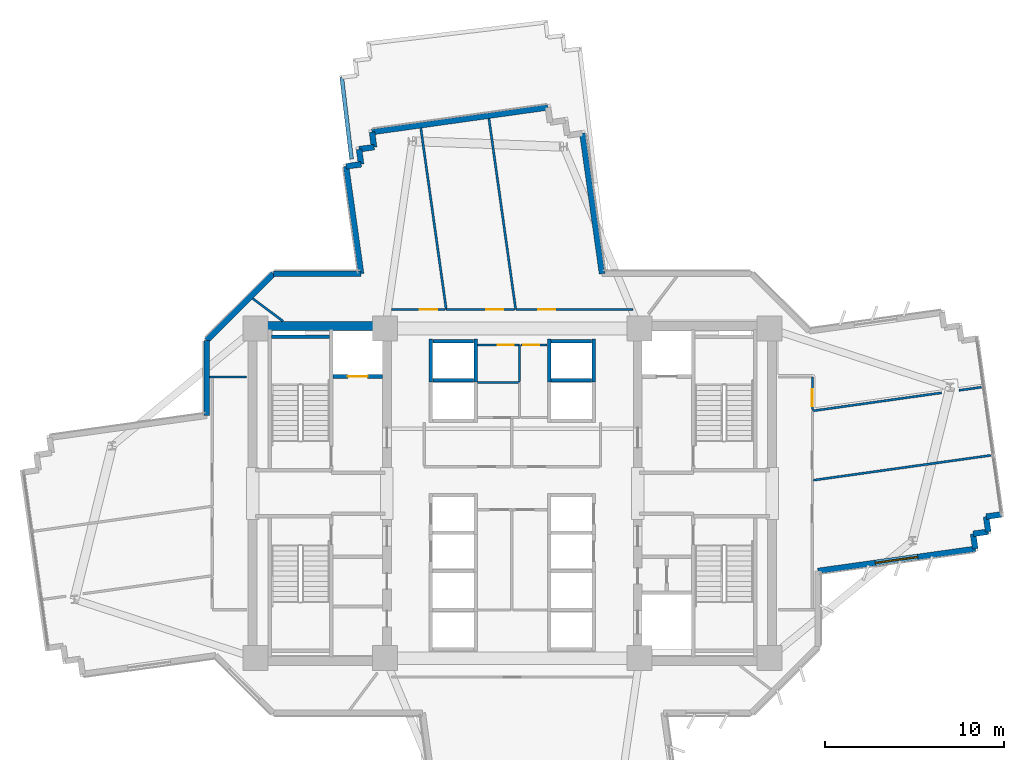
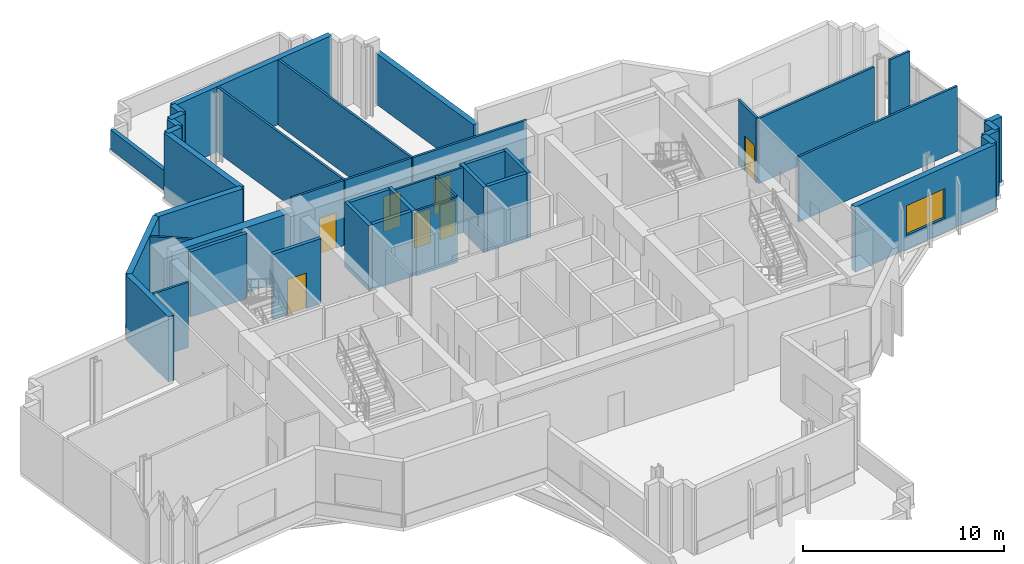
# One storey, part 9 of 13: 42 walls, 7 doors, 1 window, 8 openings.
"""IFC4 building model written with IfcOpenShell, lengths in metres."""

from ifc_helpers import new_model, si_unit, direction, frame, frame_2d, origin, place, context, subcontext, project, spatial, rectangle, extrude, source, transform, mapped, material, layer, layer_set, type_object, element, fill, save


model = new_model("IFC4")

# Units and contexts
model_context = context("Model", 3, precision=1e-05, world=origin(), true_north=direction((0.0, 1.0)))
body_context = subcontext(model_context, "Body", "Model", "MODEL_VIEW")
ifc_project = project(units=[si_unit("LENGTHUNIT", "METRE"), si_unit("AREAUNIT", "SQUARE_METRE"), si_unit("VOLUMEUNIT", "CUBIC_METRE"), si_unit("PLANEANGLEUNIT", "RADIAN"), si_unit("MASSUNIT", "GRAM", prefix="KILO")], contexts=[model_context])

# Site, building, storey
site_placement = place(None, origin())
site = spatial("IfcSite", under=ifc_project, at=site_placement, CompositionType="ELEMENT")
building_placement = place(site_placement, origin())
building = spatial("IfcBuilding", under=site, at=building_placement, Name="Zahravan Cultural Tower", CompositionType="ELEMENT")
storey_placement = place(building_placement, frame((0.0, 0.0, 117.300048828125)))
storey = spatial("IfcBuildingStorey", under=building, at=storey_placement, Name="L26", CompositionType="ELEMENT", Elevation=117.300048828125)

# Wall, opening, window
ifc_material_1 = material(Name="Precast concrete C40/50", Category="concrete")
ifc_layer_1 = layer(ifc_material_1, 0.320068359375)
ifc_layer_set_1 = layer_set([ifc_layer_1], Name="Precast concrete C40/50")
wall_type_1 = type_object("IfcWallType", Name="EW-TC-320", PredefinedType="SOLIDWALL", material=ifc_layer_set_1)
wall_1_placement = place(storey_placement, frame((61.8408203125, 23.8974609375, 0.0), z_axis=(0.0, 0.0, 1.0), x_axis=(-0.990316171862, -0.138830399225, 0.0)))
wall_1 = element("IfcWall", 1, at=wall_1_placement, inside=storey, type_object=wall_type_1, Name="L26 Exterior Masonry Frame Wall 10", PredefinedType="SOLIDWALL", context=body_context, shape_type="SweptSolid", body=[
    extrude(rectangle(XDim=8.86669921875, YDim=0.320068359375, at=frame_2d((4.433349609375, 0.0))), origin(), (0.0, 0.0, 1.0), 3.949951171875),
])
opening_1_placement = place(wall_1_placement, frame((3.23291015625, 0.0, 0.85009765625)))
opening_1 = element("IfcOpeningElement", 2, at=opening_1_placement, cuts=wall_1, Name="Opening WN-01", PredefinedType="OPENING", context=body_context, shape_type="SweptSolid", body=[
    extrude(rectangle(XDim=2.39990234375, YDim=1.800048828125, at=frame_2d((1.199951171875, 0.89990234375))), frame((0.0, 0.169921875, 0.0), z_axis=(0.0, -1.0, 0.0), x_axis=(1.0, 0.0, 0.0)), (0.0, 0.0, 1.0), 0.340087890625),
])
ifc_material_2 = material(Name="Low-E solar-control double glazing", Category="glass")
window_type = type_object("IfcWindowType", Name="WN-REC-2400X1800", PartitioningType="DOUBLE_PANEL_VERTICAL", PredefinedType="WINDOW", material=ifc_material_2)
shared_shape_1 = source(origin(), body_context, "Body", "SweptSolid", [
    extrude(rectangle(XDim=2.39990234375, YDim=1.800048828125, at=frame_2d((1.199951171875, 0.89990234375))), frame((0.0, 0.030029296875, 0.0), z_axis=(0.0, -1.0, 0.0), x_axis=(1.0, 0.0, 0.0)), (0.0, 0.0, 1.0), 0.06005859375),
])
window_placement = place(opening_1_placement, origin())
window = element("IfcWindow", 3, at=window_placement, inside=storey, type_object=window_type, Name="L26 Recessed Solar Window 02", OverallHeight=1.800048828125, OverallWidth=2.39990234375, PartitioningType="DOUBLE_PANEL_VERTICAL", PredefinedType="WINDOW", context=body_context, shape_type="MappedRepresentation", body=[
    mapped(shared_shape_1, transform((0.0, 0.0, 0.0), x_axis=(1.0, 0.0, 0.0), y_axis=(0.0, 1.0, 0.0), z_axis=(0.0, 0.0, 1.0), scale=1.0)),
])
fill(opening_1, window)

# Wall, opening, door
ifc_material_3 = material(Name="Gypsum plasterboard partition")
ifc_layer_2 = layer(ifc_material_3, 0.125)
ifc_layer_set_2 = layer_set([ifc_layer_2], Name="Gypsum plasterboard partition")
wall_type_2 = type_object("IfcWallType", Name="W-PART-125", PredefinedType="PARTITIONING", material=ifc_layer_set_2)
wall_2_placement = place(storey_placement, frame((36.119140625, 37.260009765625, 0.0), z_axis=(0.0, 0.0, 1.0), x_axis=(-1.0, 0.0, 0.0)))
wall_2 = element("IfcWall", 4, at=wall_2_placement, inside=storey, type_object=wall_type_2, Name="L26 Interior Wall 095", PredefinedType="PARTITIONING", context=body_context, shape_type="SweptSolid", body=[
    extrude(rectangle(XDim=3.809326171875, YDim=0.125, at=frame_2d((1.90478515625, 0.0))), origin(), (0.0, 0.0, 1.0), 3.949951171875),
])
opening_2_placement = place(wall_2_placement, frame((0.62890625, 0.0, 0.0)))
opening_2 = element("IfcOpeningElement", 5, at=opening_2_placement, cuts=wall_2, Name="Opening D-L26-23", PredefinedType="OPENING", context=body_context, shape_type="SweptSolid", body=[
    extrude(rectangle(XDim=0.949951171875, YDim=2.14990234375, at=frame_2d((0.47509765625, 1.074951171875))), frame((0.0, 0.072509765625, 0.0), z_axis=(0.0, -1.0, 0.0), x_axis=(1.0, 0.0, 0.0)), (0.0, 0.0, 1.0), 0.14501953125),
])
ifc_material_4 = material(Name="Anodised bronze-aluminium mullion", Category="aluminium")
door_type_1 = type_object("IfcDoorType", Name="DR-ROOM-950", OperationType="NOTDEFINED", PredefinedType="DOOR", material=ifc_material_4)
shared_shape_2 = source(origin(), body_context, "Body", "SweptSolid", [
    extrude(rectangle(XDim=0.949951171875, YDim=2.14990234375, at=frame_2d((0.47509765625, 1.074951171875))), frame((0.0, 0.02490234375, 0.0), z_axis=(0.0, -1.0, 0.0), x_axis=(1.0, 0.0, 0.0)), (0.0, 0.0, 1.0), 0.050048828125),
])
door_1_placement = place(opening_2_placement, origin())
door_1 = element("IfcDoor", 6, at=door_1_placement, inside=storey, type_object=door_type_1, Name="L26 Door D-L26-23", OperationType="SINGLE_SWING_RIGHT", OverallHeight=2.14990234375, OverallWidth=0.949951171875, PredefinedType="DOOR", context=body_context, shape_type="MappedRepresentation", body=[
    mapped(shared_shape_2, transform((0.0, 0.0, 0.0), x_axis=(1.0, 0.0, 0.0), y_axis=(0.0, 1.0, 0.0), z_axis=(0.0, 0.0, 1.0), scale=1.0)),
])
fill(opening_2, door_1)

wall_3_placement = place(storey_placement, frame((32.24169921875, 37.260009765625, 0.0), z_axis=(0.0, 0.0, 1.0), x_axis=(-0.999999916483, -0.00040869704, 0.0)))
wall_3 = element("IfcWall", 7, at=wall_3_placement, inside=storey, type_object=wall_type_2, Name="L26 Interior Wall 097", PredefinedType="PARTITIONING", context=body_context, shape_type="SweptSolid", body=[
    extrude(rectangle(XDim=2.98681640625, YDim=0.125, at=frame_2d((1.493408203125, 0.0))), origin(), (0.0, 0.0, 1.0), 3.949951171875),
])
opening_3_placement = place(wall_3_placement, frame((0.447998046875, 0.0, 0.0)))
opening_3 = element("IfcOpeningElement", 8, at=opening_3_placement, cuts=wall_3, Name="Opening D-L26-24", PredefinedType="OPENING", context=body_context, shape_type="SweptSolid", body=[
    extrude(rectangle(XDim=0.949951171875, YDim=2.14990234375, at=frame_2d((0.47509765625, 1.074951171875))), frame((0.0, 0.072509765625, 0.0), z_axis=(0.0, -1.0, 0.0), x_axis=(1.0, 0.0, 0.0)), (0.0, 0.0, 1.0), 0.14501953125),
])
door_2_placement = place(opening_3_placement, origin())
door_2 = element("IfcDoor", 9, at=door_2_placement, inside=storey, type_object=door_type_1, Name="L26 Door D-L26-24", OperationType="SINGLE_SWING_LEFT", OverallHeight=2.14990234375, OverallWidth=0.949951171875, PredefinedType="DOOR", context=body_context, shape_type="MappedRepresentation", body=[
    mapped(shared_shape_2, transform((0.0, 0.0, 0.0), x_axis=(1.0, 0.0, 0.0), y_axis=(0.0, 1.0, 0.0), z_axis=(0.0, 0.0, 1.0), scale=1.0)),
])
fill(opening_3, door_2)

wall_4_placement = place(storey_placement, frame((42.742431640625, 37.259765625, 0.0), z_axis=(0.0, 0.0, 1.0), x_axis=(-0.999999999302, 3.7359435e-05, 0.0)))
wall_4 = element("IfcWall", 10, at=wall_4_placement, inside=storey, type_object=wall_type_2, Name="L26 Interior Wall 105", PredefinedType="PARTITIONING", context=body_context, shape_type="SweptSolid", body=[
    extrude(rectangle(XDim=6.534912109375, YDim=0.125, at=frame_2d((3.267578125, 0.0))), origin(), (0.0, 0.0, 1.0), 3.949951171875),
])
opening_4_placement = place(wall_4_placement, frame((4.356201171875, 0.0, 0.0)))
opening_4 = element("IfcOpeningElement", 11, at=opening_4_placement, cuts=wall_4, Name="Opening D-L26-22", PredefinedType="OPENING", context=body_context, shape_type="SweptSolid", body=[
    extrude(rectangle(XDim=0.949951171875, YDim=2.14990234375, at=frame_2d((0.47509765625, 1.074951171875))), frame((0.0, 0.072509765625, 0.0), z_axis=(0.0, -1.0, 0.0), x_axis=(1.0, 0.0, 0.0)), (0.0, 0.0, 1.0), 0.14501953125),
])
door_3_placement = place(opening_4_placement, origin())
door_3 = element("IfcDoor", 12, at=door_3_placement, inside=storey, type_object=door_type_1, Name="L26 Door D-L26-22", OperationType="SINGLE_SWING_LEFT", OverallHeight=2.14990234375, OverallWidth=0.949951171875, PredefinedType="DOOR", context=body_context, shape_type="MappedRepresentation", body=[
    mapped(shared_shape_2, transform((0.0, 0.0, 0.0), x_axis=(1.0, 0.0, 0.0), y_axis=(0.0, 1.0, 0.0), z_axis=(0.0, 0.0, 1.0), scale=1.0)),
])
fill(opening_4, door_3)

wall_5_placement = place(storey_placement, frame((52.75, 31.66796875, 0.0), z_axis=(0.0, 0.0, 1.0), x_axis=(-0.000533333257, 0.999999857778, 0.0)))
wall_5 = element("IfcWall", 13, at=wall_5_placement, inside=storey, type_object=wall_type_2, Name="L26 Interior Wall 107", PredefinedType="PARTITIONING", context=body_context, shape_type="SweptSolid", body=[
    extrude(rectangle(XDim=1.8310546875, YDim=0.125, at=frame_2d((0.91552734375, 0.0))), origin(), (0.0, 0.0, 1.0), 3.949951171875),
])
opening_5_placement = place(wall_5_placement, frame((0.19384765625, 0.0, 0.0)))
opening_5 = element("IfcOpeningElement", 14, at=opening_5_placement, cuts=wall_5, Name="Opening D-L26-21", PredefinedType="OPENING", context=body_context, shape_type="SweptSolid", body=[
    extrude(rectangle(XDim=0.949951171875, YDim=2.14990234375, at=frame_2d((0.47509765625, 1.074951171875))), frame((0.0, 0.072509765625, 0.0), z_axis=(0.0, -1.0, 0.0), x_axis=(1.0, 0.0, 0.0)), (0.0, 0.0, 1.0), 0.14501953125),
])
door_4_placement = place(opening_5_placement, origin())
door_4 = element("IfcDoor", 15, at=door_4_placement, inside=storey, type_object=door_type_1, Name="L26 Door D-L26-21", OperationType="SINGLE_SWING_RIGHT", OverallHeight=2.14990234375, OverallWidth=0.949951171875, PredefinedType="DOOR", context=body_context, shape_type="MappedRepresentation", body=[
    mapped(shared_shape_2, transform((0.0, 0.0, 0.0), x_axis=(1.0, 0.0, 0.0), y_axis=(0.0, 1.0, 0.0), z_axis=(0.0, 0.0, 1.0), scale=1.0)),
])
fill(opening_5, door_4)

ifc_material_5 = material(Name="Concrete C45/55", Category="concrete")
ifc_layer_3 = layer(ifc_material_5, 0.199951171875)
ifc_layer_set_3 = layer_set([ifc_layer_3], Name="Concrete C45/55")
wall_type_3 = type_object("IfcWallType", Name="W-SHAFT-200", PredefinedType="SOLIDWALL", material=ifc_layer_set_3)
wall_6_placement = place(storey_placement, frame((26.0, 33.52001953125, 0.0), z_axis=(0.0, 0.0, 1.0), x_axis=(1.0, 0.0, 0.0)))
wall_6 = element("IfcWall", 16, at=wall_6_placement, inside=storey, type_object=wall_type_3, Name="L26 Interior Wall 021", PredefinedType="SOLIDWALL", context=body_context, shape_type="SweptSolid", body=[
    extrude(rectangle(XDim=2.75, YDim=0.199951171875, at=frame_2d((1.375, 0.0))), origin(), (0.0, 0.0, 1.0), 3.949951171875),
])
opening_6_placement = place(wall_6_placement, frame((0.820068359375, 0.0, 0.0)))
opening_6 = element("IfcOpeningElement", 17, at=opening_6_placement, cuts=wall_6, Name="Opening LD-L26-01", PredefinedType="OPENING", context=body_context, shape_type="SweptSolid", body=[
    extrude(rectangle(XDim=1.10009765625, YDim=2.14990234375, at=frame_2d((0.550048828125, 1.074951171875))), frame((0.0, 0.10986328125, 0.0), z_axis=(0.0, -1.0, 0.0), x_axis=(1.0, 0.0, 0.0)), (0.0, 0.0, 1.0), 0.219970703125),
])
ifc_material_6 = material(Name="Steel ASTM A572 Grade 50", Category="steel")
door_type_2 = type_object("IfcDoorType", Name="DR-LIFT-1100", OperationType="DOUBLE_DOOR_SLIDING", PredefinedType="DOOR", material=ifc_material_6)
shared_shape_3 = source(origin(), body_context, "Body", "SweptSolid", [
    extrude(rectangle(XDim=1.10009765625, YDim=2.14990234375, at=frame_2d((0.550048828125, 1.074951171875))), frame((0.0, 0.02490234375, 0.0), z_axis=(0.0, -1.0, 0.0), x_axis=(1.0, 0.0, 0.0)), (0.0, 0.0, 1.0), 0.050048828125),
])
door_5_placement = place(opening_6_placement, origin())
door_5 = element("IfcDoor", 18, at=door_5_placement, inside=storey, type_object=door_type_2, Name="L26 Door LD-L26-01", OperationType="DOUBLE_DOOR_SLIDING", OverallHeight=2.14990234375, OverallWidth=1.10009765625, PredefinedType="DOOR", context=body_context, shape_type="MappedRepresentation", body=[
    mapped(shared_shape_3, transform((0.0, 0.0, 0.0), x_axis=(1.0, 0.0, 0.0), y_axis=(0.0, 1.0, 0.0), z_axis=(0.0, 0.0, 1.0), scale=1.0)),
])
fill(opening_6, door_5)

ifc_layer_4 = layer(ifc_material_3, 0.114990234375)
ifc_layer_set_4 = layer_set([ifc_layer_4], Name="Gypsum plasterboard partition")
wall_type_4 = type_object("IfcWallType", Name="W-WC-115", PredefinedType="PARTITIONING", material=ifc_layer_set_4)
wall_7_placement = place(storey_placement, frame((34.054931640625, 35.280029296875, 0.0), z_axis=(0.0, 0.0, 1.0), x_axis=(1.0, 0.0, 0.0)))
wall_7 = element("IfcWall", 19, at=wall_7_placement, inside=storey, type_object=wall_type_4, Name="L26 Interior Wall 071", PredefinedType="PARTITIONING", context=body_context, shape_type="SweptSolid", body=[
    extrude(rectangle(XDim=2.35498046875, YDim=0.114990234375, at=frame_2d((1.177490234375, 0.0))), origin(), (0.0, 0.0, 1.0), 3.949951171875),
])
opening_7_placement = place(wall_7_placement, frame((1.120849609375, 0.0, 0.0)))
opening_7 = element("IfcOpeningElement", 20, at=opening_7_placement, cuts=wall_7, Name="Opening D-L26-13", PredefinedType="OPENING", context=body_context, shape_type="SweptSolid", body=[
    extrude(rectangle(XDim=0.89990234375, YDim=2.10009765625, at=frame_2d((0.449951171875, 1.050048828125))), frame((0.0, 0.0673828125, 0.0), z_axis=(0.0, -1.0, 0.0), x_axis=(1.0, 0.0, 0.0)), (0.0, 0.0, 1.0), 0.135009765625),
])
door_type_3 = type_object("IfcDoorType", Name="DR-WC-900", OperationType="NOTDEFINED", PredefinedType="DOOR", material=ifc_material_4)
shared_shape_4 = source(origin(), body_context, "Body", "SweptSolid", [
    extrude(rectangle(XDim=0.89990234375, YDim=2.10009765625, at=frame_2d((0.449951171875, 1.050048828125))), frame((0.0, 0.02490234375, 0.0), z_axis=(0.0, -1.0, 0.0), x_axis=(1.0, 0.0, 0.0)), (0.0, 0.0, 1.0), 0.050048828125),
])
door_6_placement = place(opening_7_placement, origin())
door_6 = element("IfcDoor", 21, at=door_6_placement, inside=storey, type_object=door_type_3, Name="L26 Door D-L26-13", OperationType="SINGLE_SWING_RIGHT", OverallHeight=2.10009765625, OverallWidth=0.89990234375, PredefinedType="DOOR", context=body_context, shape_type="MappedRepresentation", body=[
    mapped(shared_shape_4, transform((0.0, 0.0, 0.0), x_axis=(1.0, 0.0, 0.0), y_axis=(0.0, 1.0, 0.0), z_axis=(0.0, 0.0, 1.0), scale=1.0)),
])
fill(opening_7, door_6)

wall_8_placement = place(storey_placement, frame((36.472412109375, 35.280029296875, 0.0), z_axis=(0.0, 0.0, 1.0), x_axis=(1.0, 0.0, 0.0)))
wall_8 = element("IfcWall", 22, at=wall_8_placement, inside=storey, type_object=wall_type_4, Name="L26 Interior Wall 074", PredefinedType="PARTITIONING", context=body_context, shape_type="SweptSolid", body=[
    extrude(rectangle(XDim=1.47265625, YDim=0.114990234375, at=frame_2d((0.736328125, 0.0))), origin(), (0.0, 0.0, 1.0), 3.949951171875),
])
opening_8_placement = place(wall_8_placement, frame((0.139892578125, 0.0, 0.0)))
opening_8 = element("IfcOpeningElement", 23, at=opening_8_placement, cuts=wall_8, Name="Opening D-L26-14", PredefinedType="OPENING", context=body_context, shape_type="SweptSolid", body=[
    extrude(rectangle(XDim=0.89990234375, YDim=2.10009765625, at=frame_2d((0.449951171875, 1.050048828125))), frame((0.0, 0.0673828125, 0.0), z_axis=(0.0, -1.0, 0.0), x_axis=(1.0, 0.0, 0.0)), (0.0, 0.0, 1.0), 0.135009765625),
])
door_7_placement = place(opening_8_placement, origin())
door_7 = element("IfcDoor", 24, at=door_7_placement, inside=storey, type_object=door_type_3, Name="L26 Door D-L26-14", OperationType="SINGLE_SWING_LEFT", OverallHeight=2.10009765625, OverallWidth=0.89990234375, PredefinedType="DOOR", context=body_context, shape_type="MappedRepresentation", body=[
    mapped(shared_shape_4, transform((0.0, 0.0, 0.0), x_axis=(1.0, 0.0, 0.0), y_axis=(0.0, 1.0, 0.0), z_axis=(0.0, 0.0, 1.0), scale=1.0)),
])
fill(opening_8, door_7)

# Walls
ifc_material_7 = material(Name="Concrete C60/75", Category="concrete")
ifc_layer_5 = layer(ifc_material_7, 0.5)
ifc_layer_set_5 = layer_set([ifc_layer_5], Name="Concrete C60/75")
wall_type_5 = type_object("IfcWallType", Name="CW-SHEAR-500-C60", PredefinedType="SHEAR", material=ifc_layer_set_5)
shared_shape_5 = source(origin(), body_context, "Body", "SweptSolid", [
    extrude(rectangle(XDim=7.0, YDim=0.5, at=frame_2d((3.5, 0.0))), origin(), (0.0, 0.0, 1.0), 3.949951171875),
])
wall_9_placement = place(storey_placement, frame((21.75, 36.35009765625, 0.0), z_axis=(0.0, 0.0, 1.0), x_axis=(1.0, 0.0, 0.0)))
element("IfcWall", 25, at=wall_9_placement, inside=storey, type_object=wall_type_5, Name="L26 Core Shear Wall CW-W-N-L26", PredefinedType="SHEAR", context=body_context, shape_type="MappedRepresentation", body=[
    mapped(shared_shape_5, transform((0.0, 0.0, 0.0), x_axis=(1.0, 0.0, 0.0), y_axis=(0.0, 1.0, 0.0), z_axis=(0.0, 0.0, 1.0), scale=1.0)),
])
shared_shape_6 = source(origin(), body_context, "Body", "SweptSolid", [
    extrude(rectangle(XDim=0.849853515625, YDim=0.320068359375, at=frame_2d((0.4248046875, 0.0))), origin(), (0.0, 0.0, 1.0), 3.949951171875),
])
wall_10_placement = place(storey_placement, frame((27.440673828125, 46.207763671875, 0.0), z_axis=(0.0, 0.0, 1.0), x_axis=(0.990325171071, 0.138766190202, 0.0)))
element("IfcWall", 26, at=wall_10_placement, inside=storey, type_object=wall_type_1, Name="L26 Exterior Masonry Frame Wall 43", PredefinedType="SOLIDWALL", context=body_context, shape_type="MappedRepresentation", body=[
    mapped(shared_shape_6, transform((0.0, 0.0, 0.0), x_axis=(1.0, 0.0, 0.0), y_axis=(0.0, 1.0, 0.0), z_axis=(0.0, 0.0, 1.0), scale=1.0)),
])
shared_shape_7 = source(origin(), body_context, "Body", "SweptSolid", [
    extrude(rectangle(XDim=0.85009765625, YDim=0.320068359375, at=frame_2d((0.425048828125, 0.0))), origin(), (0.0, 0.0, 1.0), 3.949951171875),
])
for number, where, z_axis, x_axis, name in (
    (27, (63.28857421875, 25.81689453125, 0.0), (0.0, 0.0, 1.0), (-0.990330700987, -0.138726719425, 0.0), "L26 Exterior Masonry Frame Wall 06"),
    (28, (62.44677734375, 25.698974609375, 0.0), (0.0, 0.0, 1.0), (0.138726719425, -0.990330700987, 0.0), "L26 Exterior Masonry Frame Wall 07"),
    (29, (62.564697265625, 24.857177734375, 0.0), (0.0, 0.0, 1.0), (-0.990330700987, -0.138726719425, 0.0), "L26 Exterior Masonry Frame Wall 08"),
    (30, (61.722900390625, 24.7392578125, 0.0), (0.0, 0.0, 1.0), (0.138726719425, -0.990330700987, 0.0), "L26 Exterior Masonry Frame Wall 09"),
    (31, (26.716796875, 45.247802734375, 0.0), (0.0, 0.0, 1.0), (0.990291202841, 0.139008393902, 0.0), "L26 Exterior Masonry Frame Wall 41"),
    (32, (27.55859375, 45.365966796875, 0.0), (0.0, 0.0, 1.0), (-0.138726719425, 0.990330700987, 0.0), "L26 Exterior Masonry Frame Wall 42"),
    (33, (28.2822265625, 46.32568359375, 0.0), (0.0, 0.0, 1.0), (-0.138726719425, 0.990330700987, 0.0), "L26 Exterior Masonry Frame Wall 44"),
):
    element("IfcWall", number, at=place(storey_placement, frame(where, z_axis=z_axis, x_axis=x_axis)), inside=storey, type_object=wall_type_1, Name=name, PredefinedType="SOLIDWALL", context=body_context, shape_type="MappedRepresentation", body=[
        mapped(shared_shape_7, transform((0.0, 0.0, 0.0), x_axis=(1.0, 0.0, 0.0), y_axis=(0.0, 1.0, 0.0), z_axis=(0.0, 0.0, 1.0), scale=1.0)),
    ])
shared_shape_8 = source(origin(), body_context, "Body", "SweptSolid", [
    extrude(rectangle(XDim=9.919921875, YDim=0.320068359375, at=frame_2d((4.9599609375, 0.0))), origin(), (0.0, 0.0, 1.0), 3.949951171875),
])
wall_11_placement = place(storey_placement, frame((28.164306640625, 47.16748046875, 0.0), z_axis=(0.0, 0.0, 1.0), x_axis=(0.990316250135, 0.138829840876, 0.0)))
element("IfcWall", 34, at=wall_11_placement, inside=storey, type_object=wall_type_1, Name="L26 Exterior Masonry Frame Wall 45", PredefinedType="SOLIDWALL", context=body_context, shape_type="MappedRepresentation", body=[
    mapped(shared_shape_8, transform((0.0, 0.0, 0.0), x_axis=(1.0, 0.0, 0.0), y_axis=(0.0, 1.0, 0.0), z_axis=(0.0, 0.0, 1.0), scale=1.0)),
])
shared_shape_9 = source(origin(), body_context, "Body", "SweptSolid", [
    extrude(rectangle(XDim=5.258056640625, YDim=0.320068359375, at=frame_2d((2.62890625, 0.0))), origin(), (0.0, 0.0, 1.0), 3.949951171875),
])
wall_12_placement = place(storey_placement, frame((18.93994140625, 35.5419921875, 0.0), z_axis=(0.0, 0.0, 1.0), x_axis=(0.707106781187, 0.707106781187, 0.0)))
element("IfcWall", 35, at=wall_12_placement, inside=storey, type_object=wall_type_1, Name="L26 Exterior Masonry Frame Wall 38", PredefinedType="SOLIDWALL", context=body_context, shape_type="MappedRepresentation", body=[
    mapped(shared_shape_9, transform((0.0, 0.0, 0.0), x_axis=(1.0, 0.0, 0.0), y_axis=(0.0, 1.0, 0.0), z_axis=(0.0, 0.0, 1.0), scale=1.0)),
])
ifc_layer_6 = layer(ifc_material_1, 0.219970703125)
ifc_layer_set_6 = layer_set([ifc_layer_6], Name="Precast concrete C40/50")
wall_type_6 = type_object("IfcWallType", Name="EW-PARAPET-220", PredefinedType="PARAPET", material=ifc_layer_set_6)
shared_shape_10 = source(origin(), body_context, "Body", "SweptSolid", [
    extrude(rectangle(XDim=4.599365234375, YDim=0.219970703125, at=frame_2d((2.2998046875, 0.0))), origin(), (0.0, 0.0, 1.0), 1.199951171875),
])
wall_13_placement = place(storey_placement, frame((27.0244140625, 45.654541015625, 0.0), z_axis=(0.0, 0.0, 1.0), x_axis=(-0.119113824052, 0.992880605571, 0.0)))
element("IfcWall", 36, at=wall_13_placement, inside=storey, type_object=wall_type_6, Name="L26 Setback Roof Parapet 10", PredefinedType="PARAPET", context=body_context, shape_type="MappedRepresentation", body=[
    mapped(shared_shape_10, transform((0.0, 0.0, 0.0), x_axis=(1.0, 0.0, 0.0), y_axis=(0.0, 1.0, 0.0), z_axis=(0.0, 0.0, 1.0), scale=1.0)),
])
shared_shape_11 = source(origin(), body_context, "Body", "SweptSolid", [
    extrude(rectangle(XDim=4.20849609375, YDim=0.320068359375, at=frame_2d((2.104248046875, 0.0))), origin(), (0.0, 0.0, 1.0), 3.949951171875),
])
wall_14_placement = place(storey_placement, frame((18.93994140625, 31.33349609375, 0.0), z_axis=(0.0, 0.0, 1.0), x_axis=(0.0, 1.0, 0.0)))
element("IfcWall", 37, at=wall_14_placement, inside=storey, type_object=wall_type_1, Name="L26 Exterior Masonry Frame Wall 37", PredefinedType="SOLIDWALL", context=body_context, shape_type="MappedRepresentation", body=[
    mapped(shared_shape_11, transform((0.0, 0.0, 0.0), x_axis=(1.0, 0.0, 0.0), y_axis=(0.0, 1.0, 0.0), z_axis=(0.0, 0.0, 1.0), scale=1.0)),
])
shared_shape_12 = source(origin(), body_context, "Body", "SweptSolid", [
    extrude(rectangle(XDim=4.898193359375, YDim=0.320068359375, at=frame_2d((2.44921875, 0.0))), origin(), (0.0, 0.0, 1.0), 3.949951171875),
])
wall_15_placement = place(storey_placement, frame((22.657958984375, 39.260009765625, 0.0), z_axis=(0.0, 0.0, 1.0), x_axis=(1.0, 0.0, 0.0)))
element("IfcWall", 38, at=wall_15_placement, inside=storey, type_object=wall_type_1, Name="L26 Exterior Masonry Frame Wall 39", PredefinedType="SOLIDWALL", context=body_context, shape_type="MappedRepresentation", body=[
    mapped(shared_shape_12, transform((0.0, 0.0, 0.0), x_axis=(1.0, 0.0, 0.0), y_axis=(0.0, 1.0, 0.0), z_axis=(0.0, 0.0, 1.0), scale=1.0)),
])
shared_shape_13 = source(origin(), body_context, "Body", "SweptSolid", [
    extrude(rectangle(XDim=6.04638671875, YDim=0.320068359375, at=frame_2d((3.023193359375, 0.0))), origin(), (0.0, 0.0, 1.0), 3.949951171875),
])
wall_16_placement = place(storey_placement, frame((27.55615234375, 39.260009765625, 0.0), z_axis=(0.0, 0.0, 1.0), x_axis=(-0.138820507469, 0.990317558517, 0.0)))
element("IfcWall", 39, at=wall_16_placement, inside=storey, type_object=wall_type_1, Name="L26 Exterior Masonry Frame Wall 40", PredefinedType="SOLIDWALL", context=body_context, shape_type="MappedRepresentation", body=[
    mapped(shared_shape_13, transform((0.0, 0.0, 0.0), x_axis=(1.0, 0.0, 0.0), y_axis=(0.0, 1.0, 0.0), z_axis=(0.0, 0.0, 1.0), scale=1.0)),
])
shared_shape_14 = source(origin(), body_context, "Body", "SweptSolid", [
    extrude(rectangle(XDim=7.913818359375, YDim=0.320068359375, at=frame_2d((3.95703125, 0.0))), origin(), (0.0, 0.0, 1.0), 3.079833984375),
])
wall_17_placement = place(storey_placement, frame((39.90771484375, 47.09716796875, 0.0), z_axis=(0.0, 0.0, 1.0), x_axis=(0.138855403592, -0.990312666229, 0.0)))
element("IfcWall", 40, at=wall_17_placement, inside=storey, type_object=wall_type_1, Name="L26 Exterior Masonry Frame Wall 50", PredefinedType="SOLIDWALL", context=body_context, shape_type="MappedRepresentation", body=[
    mapped(shared_shape_14, transform((0.0, 0.0, 0.0), x_axis=(1.0, 0.0, 0.0), y_axis=(0.0, 1.0, 0.0), z_axis=(0.0, 0.0, 1.0), scale=1.0)),
])
shared_shape_15 = source(origin(), body_context, "Body", "SweptSolid", [
    extrude(rectangle(XDim=3.25, YDim=0.199951171875, at=frame_2d((1.625, 0.0))), origin(), (0.0, 0.0, 1.0), 3.949951171875),
])
wall_18_placement = place(storey_placement, frame((22.550048828125, 35.75, 0.0), z_axis=(0.0, 0.0, 1.0), x_axis=(1.0, 0.0, 0.0)))
element("IfcWall", 41, at=wall_18_placement, inside=storey, type_object=wall_type_3, Name="L26 Interior Wall 017", PredefinedType="SOLIDWALL", context=body_context, shape_type="MappedRepresentation", body=[
    mapped(shared_shape_15, transform((0.0, 0.0, 0.0), x_axis=(1.0, 0.0, 0.0), y_axis=(0.0, 1.0, 0.0), z_axis=(0.0, 0.0, 1.0), scale=1.0)),
])
shared_shape_16 = source(origin(), body_context, "Body", "SweptSolid", [
    extrude(rectangle(XDim=2.400146484375, YDim=0.199951171875, at=frame_2d((1.2001953125, 0.0))), origin(), (0.0, 0.0, 1.0), 3.949951171875),
])
for number, where, z_axis, x_axis, name in (
    (42, (31.449951171875, 33.199951171875, 0.0), (0.0, 0.0, 1.0), (0.0, 1.0, 0.0), "L26 Interior Wall 028"),
    (43, (33.949951171875, 33.199951171875, 0.0), (0.0, 0.0, 1.0), (0.0, 1.0, 0.0), "L26 Interior Wall 029"),
    (44, (38.050048828125, 33.199951171875, 0.0), (0.0, 0.0, 1.0), (0.0, 1.0, 0.0), "L26 Interior Wall 035"),
    (45, (40.550048828125, 33.199951171875, 0.0), (0.0, 0.0, 1.0), (0.0, 1.0, 0.0), "L26 Interior Wall 036"),
):
    element("IfcWall", number, at=place(storey_placement, frame(where, z_axis=z_axis, x_axis=x_axis)), inside=storey, type_object=wall_type_3, Name=name, PredefinedType="SOLIDWALL", context=body_context, shape_type="MappedRepresentation", body=[
        mapped(shared_shape_16, transform((0.0, 0.0, 0.0), x_axis=(1.0, 0.0, 0.0), y_axis=(0.0, 1.0, 0.0), z_axis=(0.0, 0.0, 1.0), scale=1.0)),
    ])
shared_shape_17 = source(origin(), body_context, "Body", "SweptSolid", [
    extrude(rectangle(XDim=2.260009765625, YDim=0.199951171875, at=frame_2d((1.1298828125, 0.0))), origin(), (0.0, 0.0, 1.0), 3.949951171875),
])
for number, where, z_axis, x_axis, name in (
    (46, (31.570068359375, 33.300048828125, 0.0), (0.0, 0.0, 1.0), (1.0, 0.0, 0.0), "L26 Interior Wall 030"),
    (47, (31.570068359375, 35.5, 0.0), (0.0, 0.0, 1.0), (1.0, 0.0, 0.0), "L26 Interior Wall 031"),
    (48, (38.169921875, 33.300048828125, 0.0), (0.0, 0.0, 1.0), (1.0, 0.0, 0.0), "L26 Interior Wall 037"),
    (49, (38.169921875, 35.5, 0.0), (0.0, 0.0, 1.0), (1.0, 0.0, 0.0), "L26 Interior Wall 038"),
):
    element("IfcWall", number, at=place(storey_placement, frame(where, z_axis=z_axis, x_axis=x_axis)), inside=storey, type_object=wall_type_3, Name=name, PredefinedType="SOLIDWALL", context=body_context, shape_type="MappedRepresentation", body=[
        mapped(shared_shape_17, transform((0.0, 0.0, 0.0), x_axis=(1.0, 0.0, 0.0), y_axis=(0.0, 1.0, 0.0), z_axis=(0.0, 0.0, 1.0), scale=1.0)),
    ])
shared_shape_18 = source(origin(), body_context, "Body", "SweptSolid", [
    extrude(rectangle(XDim=2.35498046875, YDim=0.114990234375, at=frame_2d((1.177490234375, 0.0))), origin(), (0.0, 0.0, 1.0), 3.949951171875),
])
wall_19_placement = place(storey_placement, frame((34.054931640625, 33.179931640625, 0.0), z_axis=(0.0, 0.0, 1.0), x_axis=(1.0, 0.0, 0.0)))
element("IfcWall", 50, at=wall_19_placement, inside=storey, type_object=wall_type_4, Name="L26 Interior Wall 069", PredefinedType="PARTITIONING", context=body_context, shape_type="MappedRepresentation", body=[
    mapped(shared_shape_18, transform((0.0, 0.0, 0.0), x_axis=(1.0, 0.0, 0.0), y_axis=(0.0, 1.0, 0.0), z_axis=(0.0, 0.0, 1.0), scale=1.0)),
])
shared_shape_19 = source(origin(), body_context, "Body", "SweptSolid", [
    extrude(rectangle(XDim=2.0400390625, YDim=0.114990234375, at=frame_2d((1.02001953125, 0.0))), origin(), (0.0, 0.0, 1.0), 3.949951171875),
])
wall_20_placement = place(storey_placement, frame((36.409912109375, 35.280029296875, 0.0), z_axis=(0.0, 0.0, 1.0), x_axis=(0.0, -1.0, 0.0)))
element("IfcWall", 51, at=wall_20_placement, inside=storey, type_object=wall_type_4, Name="L26 Interior Wall 072", PredefinedType="PARTITIONING", context=body_context, shape_type="MappedRepresentation", body=[
    mapped(shared_shape_19, transform((0.0, 0.0, 0.0), x_axis=(1.0, 0.0, 0.0), y_axis=(0.0, 1.0, 0.0), z_axis=(0.0, 0.0, 1.0), scale=1.0)),
])
shared_shape_20 = source(origin(), body_context, "Body", "SweptSolid", [
    extrude(rectangle(XDim=2.04931640625, YDim=0.125, at=frame_2d((1.024658203125, 0.0))), origin(), (0.0, 0.0, 1.0), 3.949951171875),
])
wall_21_placement = place(storey_placement, frame((21.1494140625, 33.49658203125, 0.0), z_axis=(0.0, 0.0, 1.0), x_axis=(-0.999999936133, 0.000357398119, 0.0)))
element("IfcWall", 52, at=wall_21_placement, inside=storey, type_object=wall_type_2, Name="L26 Interior Wall 101", PredefinedType="PARTITIONING", context=body_context, shape_type="MappedRepresentation", body=[
    mapped(shared_shape_20, transform((0.0, 0.0, 0.0), x_axis=(1.0, 0.0, 0.0), y_axis=(0.0, 1.0, 0.0), z_axis=(0.0, 0.0, 1.0), scale=1.0)),
])
shared_shape_21 = source(origin(), body_context, "Body", "SweptSolid", [
    extrude(rectangle(XDim=7.286865234375, YDim=0.125, at=frame_2d((3.6435546875, 0.0))), origin(), (0.0, 0.0, 1.0), 3.949951171875),
])
wall_22_placement = place(storey_placement, frame((52.750244140625, 31.599853515625, 0.0), z_axis=(0.0, 0.0, 1.0), x_axis=(0.990314677425, 0.138841059045, 0.0)))
element("IfcWall", 53, at=wall_22_placement, inside=storey, type_object=wall_type_2, Name="L26 Interior Wall 086", PredefinedType="PARTITIONING", context=body_context, shape_type="MappedRepresentation", body=[
    mapped(shared_shape_21, transform((0.0, 0.0, 0.0), x_axis=(1.0, 0.0, 0.0), y_axis=(0.0, 1.0, 0.0), z_axis=(0.0, 0.0, 1.0), scale=1.0)),
])
shared_shape_22 = source(origin(), body_context, "Body", "SweptSolid", [
    extrude(rectangle(XDim=1.26220703125, YDim=0.125, at=frame_2d((0.631103515625, 0.0))), origin(), (0.0, 0.0, 1.0), 3.949951171875),
])
wall_23_placement = place(storey_placement, frame((60.926513671875, 32.74609375, 0.0), z_axis=(0.0, 0.0, 1.0), x_axis=(0.990309850619, 0.138875482958, 0.0)))
element("IfcWall", 54, at=wall_23_placement, inside=storey, type_object=wall_type_2, Name="L26 Interior Wall 087", PredefinedType="PARTITIONING", context=body_context, shape_type="MappedRepresentation", body=[
    mapped(shared_shape_22, transform((0.0, 0.0, 0.0), x_axis=(1.0, 0.0, 0.0), y_axis=(0.0, 1.0, 0.0), z_axis=(0.0, 0.0, 1.0), scale=1.0)),
])
shared_shape_23 = source(origin(), body_context, "Body", "SweptSolid", [
    extrude(rectangle(XDim=9.98876953125, YDim=0.125, at=frame_2d((4.994384765625, 0.0))), origin(), (0.0, 0.0, 1.0), 3.949951171875),
])
wall_24_placement = place(storey_placement, frame((62.70947265625, 29.118408203125, 0.0), z_axis=(0.0, 0.0, 1.0), x_axis=(-0.990319987422, -0.138803179046, 0.0)))
element("IfcWall", 55, at=wall_24_placement, inside=storey, type_object=wall_type_2, Name="L26 Interior Wall 088", PredefinedType="PARTITIONING", context=body_context, shape_type="MappedRepresentation", body=[
    mapped(shared_shape_23, transform((0.0, 0.0, 0.0), x_axis=(1.0, 0.0, 0.0), y_axis=(0.0, 1.0, 0.0), z_axis=(0.0, 0.0, 1.0), scale=1.0)),
])
shared_shape_24 = source(origin(), body_context, "Body", "SweptSolid", [
    extrude(rectangle(XDim=10.760498046875, YDim=0.125, at=frame_2d((5.38037109375, 0.0))), origin(), (0.0, 0.0, 1.0), 3.949951171875),
])
wall_25_placement = place(storey_placement, frame((34.693603515625, 47.916259765625, 0.0), z_axis=(0.0, 0.0, 1.0), x_axis=(0.138832093167, -0.99031593439, 0.0)))
element("IfcWall", 56, at=wall_25_placement, inside=storey, type_object=wall_type_2, Name="L26 Interior Wall 094", PredefinedType="PARTITIONING", context=body_context, shape_type="MappedRepresentation", body=[
    mapped(shared_shape_24, transform((0.0, 0.0, 0.0), x_axis=(1.0, 0.0, 0.0), y_axis=(0.0, 1.0, 0.0), z_axis=(0.0, 0.0, 1.0), scale=1.0)),
])
shared_shape_25 = source(origin(), body_context, "Body", "SweptSolid", [
    extrude(rectangle(XDim=10.2216796875, YDim=0.125, at=frame_2d((5.11083984375, 0.0))), origin(), (0.0, 0.0, 1.0), 3.949951171875),
])
wall_26_placement = place(storey_placement, frame((32.309814453125, 37.26025390625, 0.0), z_axis=(0.0, 0.0, 1.0), x_axis=(-0.138816035819, 0.990318185332, 0.0)))
element("IfcWall", 57, at=wall_26_placement, inside=storey, type_object=wall_type_2, Name="L26 Interior Wall 096", PredefinedType="PARTITIONING", context=body_context, shape_type="MappedRepresentation", body=[
    mapped(shared_shape_25, transform((0.0, 0.0, 0.0), x_axis=(1.0, 0.0, 0.0), y_axis=(0.0, 1.0, 0.0), z_axis=(0.0, 0.0, 1.0), scale=1.0)),
])
shared_shape_26 = source(origin(), body_context, "Body", "SweptSolid", [
    extrude(rectangle(XDim=2.11865234375, YDim=0.125, at=frame_2d((1.059326171875, 0.0))), origin(), (0.0, 0.0, 1.0), 3.949951171875),
])
wall_27_placement = place(storey_placement, frame((23.20166015625, 36.60498046875, 0.0), z_axis=(0.0, 0.0, 1.0), x_axis=(-0.801201403988, 0.598394777925, 0.0)))
element("IfcWall", 58, at=wall_27_placement, inside=storey, type_object=wall_type_2, Name="L26 Interior Wall 098", PredefinedType="PARTITIONING", context=body_context, shape_type="MappedRepresentation", body=[
    mapped(shared_shape_26, transform((0.0, 0.0, 0.0), x_axis=(1.0, 0.0, 0.0), y_axis=(0.0, 1.0, 0.0), z_axis=(0.0, 0.0, 1.0), scale=1.0)),
])

save(model, "model.ifc")
